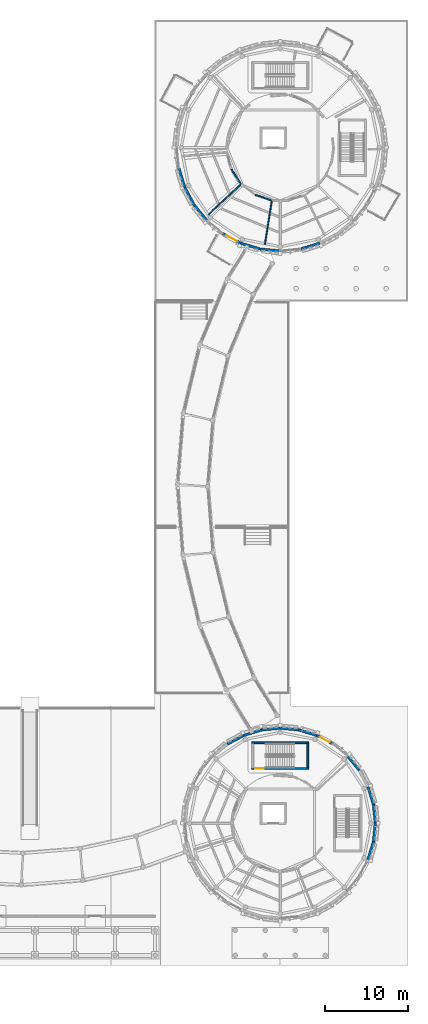
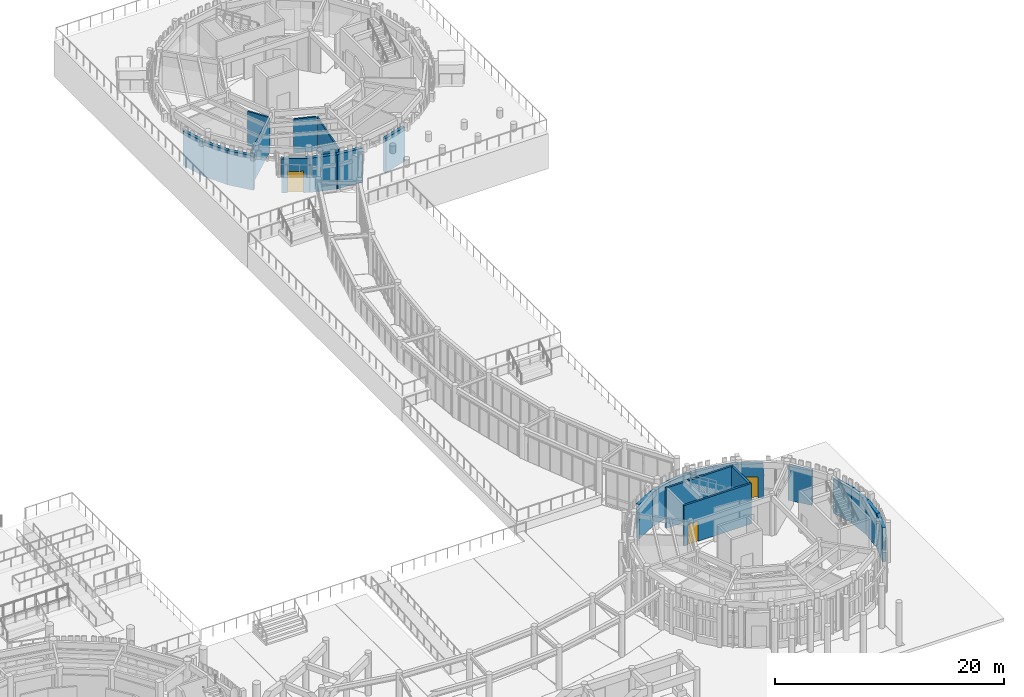
# One storey, part 54 of 94: 25 walls, 3 doors, 3 openings.
"""IFC4 building model written with IfcOpenShell, lengths in metres."""

from ifc_helpers import new_model, si_unit, direction, frame, frame_2d, origin, place, context, subcontext, project, spatial, rectangle, extrude, material, layer, layer_set, type_object, element, fill, save


model = new_model("IFC4")

# Units and contexts
model_context = context("Model", 3, precision=1e-05, world=origin(), true_north=direction((0.0, 1.0)))
body_context = subcontext(model_context, "Body", "Model", "MODEL_VIEW")
ifc_project = project(units=[si_unit("LENGTHUNIT", "METRE"), si_unit("AREAUNIT", "SQUARE_METRE"), si_unit("VOLUMEUNIT", "CUBIC_METRE"), si_unit("PLANEANGLEUNIT", "RADIAN"), si_unit("MASSUNIT", "GRAM", prefix="KILO")], contexts=[model_context])

# Site, building, storey
site_placement = place(None, origin())
site = spatial("IfcSite", under=ifc_project, at=site_placement, CompositionType="ELEMENT")
building_placement = place(site_placement, origin())
building = spatial("IfcBuilding", under=site, at=building_placement, Name="Aldenvaro Health Centre", CompositionType="ELEMENT")
storey_placement = place(building_placement, origin())
storey = spatial("IfcBuildingStorey", under=building, at=storey_placement, Name="L00", CompositionType="ELEMENT", Elevation=0.0)

# Walls
ifc_material_1 = material(Name="Gypsum Stud Acoustic Assembly")
ifc_layer_1 = layer(ifc_material_1, 0.14501953125, Name="Gypsum Stud Acoustic Assembly")
ifc_layer_set_1 = layer_set([ifc_layer_1], Name="Gypsum Stud Acoustic Assembly")
wall_type_1 = type_object("IfcWallType", Name="WL-CLN-145", PredefinedType="PARTITIONING", material=ifc_layer_set_1)
wall_1_placement = place(storey_placement, frame((149.759033203125, 95.0791015625, 0.0), z_axis=(0.0, 0.0, 1.0), x_axis=(-0.731374820342, -0.681975712302, 0.0)))
element("IfcWall", 1, at=wall_1_placement, inside=storey, type_object=wall_type_1, Name="D2 L00 clinical partition 5.1", PredefinedType="PARTITIONING", context=body_context, shape_type="SweptSolid", body=[
    extrude(rectangle(XDim=5.283203125, YDim=0.14501953125, at=frame_2d((2.6416015625, 0.0))), origin(), (0.0, 0.0, 1.0), 3.634033203125),
])
wall_2_placement = place(storey_placement, frame((153.486083984375, 93.096923828125, 0.0), z_axis=(0.0, 0.0, 1.0), x_axis=(-0.156475439167, -0.98768185006, 0.0)))
element("IfcWall", 2, at=wall_2_placement, inside=storey, type_object=wall_type_1, Name="D2 L00 clinical partition 6.1", PredefinedType="PARTITIONING", context=body_context, shape_type="SweptSolid", body=[
    extrude(rectangle(XDim=5.27978515625, YDim=0.14501953125, at=frame_2d((2.639892578125, 0.0))), origin(), (0.0, 0.0, 1.0), 3.634033203125),
])
ifc_layer_2 = layer(ifc_material_1, 0.1650390625, Name="Gypsum Stud Acoustic Assembly")
ifc_layer_set_2 = layer_set([ifc_layer_2], Name="Gypsum Stud Acoustic Assembly")
wall_type_2 = type_object("IfcWallType", Name="WL-COR-165", PredefinedType="PARTITIONING", material=ifc_layer_set_2)
for number, where, z_axis, x_axis, name in (
    (3, (148.653076171875, 96.89697265625, 0.0), (0.0, 0.0, 1.0), (0.545710691365, -0.83797365193, 0.0), "D2 L00 corridor wall 04.2"),
    (4, (151.4951171875, 93.84912109375, 0.0), (0.0, 0.0, 1.0), (0.94591520518, -0.324413971046, 0.0), "D2 L00 corridor wall 05.2"),
):
    element("IfcWall", number, at=place(storey_placement, frame(where, z_axis=z_axis, x_axis=x_axis)), inside=storey, type_object=wall_type_2, Name=name, PredefinedType="PARTITIONING", context=body_context, shape_type="SweptSolid", body=[
        extrude(rectangle(XDim=2.01904296875, YDim=0.1650390625, at=frame_2d((1.009521484375, 0.0))), origin(), (0.0, 0.0, 1.0), 3.634033203125),
    ])
ifc_material_2 = material(Name="Concrete f'c 35 MPa", Category="concrete")
ifc_layer_3 = layer(ifc_material_2, 0.31005859375, Name="Concrete f'c 35 MPa", Category="concrete")
ifc_layer_set_3 = layer_set([ifc_layer_3], Name="Concrete f'c 35 MPa")
wall_type_3 = type_object("IfcWallType", Name="WL-EXT-310", PredefinedType="SOLIDWALL", material=ifc_layer_set_3)
wall_3_placement = place(storey_placement, frame((159.2451171875, 88.0439453125, 0.0), z_axis=(0.0, 0.0, 1.0), x_axis=(-0.956892539407, -0.290442193951, 0.0)))
element("IfcWall", 5, at=wall_3_placement, inside=storey, type_object=wall_type_3, Name="D2 L00 exterior wall 07", PredefinedType="SOLIDWALL", context=body_context, shape_type="SweptSolid", body=[
    extrude(rectangle(XDim=2.430908203125, YDim=0.31005859375, at=frame_2d((1.21533203125, 0.0))), origin(), (0.0, 0.0, 1.0), 3.658935546875),
])
wall_4_placement = place(storey_placement, frame((154.5, 87.10009765625, 0.0), z_axis=(0.0, 0.0, 1.0), x_axis=(-0.995202863323, 0.097832820839, 0.0)))
element("IfcWall", 6, at=wall_4_placement, inside=storey, type_object=wall_type_3, Name="D2 L00 exterior wall 09", PredefinedType="SOLIDWALL", context=body_context, shape_type="SweptSolid", body=[
    extrude(rectangle(XDim=2.4306640625, YDim=0.31005859375, at=frame_2d((1.21533203125, 0.0))), origin(), (0.0, 0.0, 1.0), 3.658935546875),
])
wall_5_placement = place(storey_placement, frame((152.0810546875, 87.337890625, 0.0), z_axis=(0.0, 0.0, 1.0), x_axis=(-0.956892539407, 0.290442193951, 0.0)))
element("IfcWall", 7, at=wall_5_placement, inside=storey, type_object=wall_type_3, Name="D2 L00 exterior wall 10", PredefinedType="SOLIDWALL", context=body_context, shape_type="SweptSolid", body=[
    extrude(rectangle(XDim=2.430908203125, YDim=0.31005859375, at=frame_2d((1.21533203125, 0.0))), origin(), (0.0, 0.0, 1.0), 3.658935546875),
])

# Wall, opening, door
wall_6_placement = place(storey_placement, frame((149.7548828125, 88.0439453125, 0.0), z_axis=(0.0, 0.0, 1.0), x_axis=(-0.881902152415, 0.471432490996, 0.0)))
wall_6 = element("IfcWall", 8, at=wall_6_placement, inside=storey, type_object=wall_type_3, Name="D2 L00 exterior wall 11", PredefinedType="SOLIDWALL", context=body_context, shape_type="SweptSolid", body=[
    extrude(rectangle(XDim=2.430908203125, YDim=0.31005859375, at=frame_2d((1.21533203125, 0.0))), origin(), (0.0, 0.0, 1.0), 3.658935546875),
])
opening_1_placement = place(wall_6_placement, frame((0.51611328125, 0.0, 0.0)))
opening_1 = element("IfcOpeningElement", 9, at=opening_1_placement, cuts=wall_6, Name="Opening ED-05", PredefinedType="OPENING", context=body_context, shape_type="SweptSolid", body=[
    extrude(rectangle(XDim=1.39990234375, YDim=2.300048828125, at=frame_2d((0.699951171875, 1.14990234375))), frame((0.0, 0.1650390625, 0.0), z_axis=(0.0, -1.0, 0.0), x_axis=(1.0, 0.0, 0.0)), (0.0, 0.0, 1.0), 0.330078125),
])
ifc_material_3 = material(Name="Thermally Broken Glazed Aluminium", Category="aluminium")
door_type_1 = type_object("IfcDoorType", Name="DR-GDN-140", OperationType="NOTDEFINED", PredefinedType="DOOR", material=ifc_material_3)
door_1_placement = place(opening_1_placement, origin())
door_1 = element("IfcDoor", 10, at=door_1_placement, inside=storey, type_object=door_type_1, Name="Pedestrian Final Exit Door 09", OperationType="SINGLE_SWING_LEFT", OverallHeight=2.300048828125, OverallWidth=1.39990234375, PredefinedType="DOOR", context=body_context, shape_type="SweptSolid", body=[
    extrude(rectangle(XDim=1.39990234375, YDim=2.300048828125, at=frame_2d((0.699951171875, 1.14990234375))), frame((0.0, 0.02490234375, 0.0), z_axis=(0.0, -1.0, 0.0), x_axis=(1.0, 0.0, 0.0)), (0.0, 0.0, 1.0), 0.050048828125),
])
fill(opening_1, door_1)

# Walls
for number, where, z_axis, x_axis, name in (
    (11, (145.73193359375, 90.73193359375, 0.0), (0.0, 0.0, 1.0), (-0.634347392822, 0.773048113134, 0.0), "D2 L00 exterior wall 13"),
    (12, (144.18994140625, 92.611083984375, 0.0), (0.0, 0.0, 1.0), (-0.471432490996, 0.881902152415, 0.0), "D2 L00 exterior wall 14"),
    (13, (143.0439453125, 94.7548828125, 0.0), (0.0, 0.0, 1.0), (-0.290442193951, 0.956892539407, 0.0), "D2 L00 exterior wall 15"),
):
    element("IfcWall", number, at=place(storey_placement, frame(where, z_axis=z_axis, x_axis=x_axis)), inside=storey, type_object=wall_type_3, Name=name, PredefinedType="SOLIDWALL", context=body_context, shape_type="SweptSolid", body=[
        extrude(rectangle(XDim=2.430908203125, YDim=0.31005859375, at=frame_2d((1.21533203125, 0.0))), origin(), (0.0, 0.0, 1.0), 3.658935546875),
    ])
wall_7_placement = place(storey_placement, frame((165.89990234375, 18.5, 0.0), z_axis=(0.0, 0.0, 1.0), x_axis=(-0.097989369151, -0.995187461503, 0.0)))
element("IfcWall", 14, at=wall_7_placement, inside=storey, type_object=wall_type_3, Name="D6 L00 exterior wall 01", PredefinedType="SOLIDWALL", context=body_context, shape_type="SweptSolid", body=[
    extrude(rectangle(XDim=2.23486328125, YDim=0.31005859375, at=frame_2d((1.117431640625, 0.0))), origin(), (0.0, 0.0, 1.0), 3.658935546875),
])
wall_8_placement = place(storey_placement, frame((165.680908203125, 16.27587890625, 0.0), z_axis=(0.0, 0.0, 1.0), x_axis=(-0.290322655883, -0.956928814218, 0.0)))
element("IfcWall", 15, at=wall_8_placement, inside=storey, type_object=wall_type_3, Name="D6 L00 exterior wall 02", PredefinedType="SOLIDWALL", context=body_context, shape_type="SweptSolid", body=[
    extrude(rectangle(XDim=2.235107421875, YDim=0.31005859375, at=frame_2d((1.11767578125, 0.0))), origin(), (0.0, 0.0, 1.0), 3.658935546875),
])
wall_9_placement = place(storey_placement, frame((148.166015625, 27.97900390625, 0.0), z_axis=(0.0, 0.0, 1.0), x_axis=(0.882017012185, 0.471217561446, 0.0)))
element("IfcWall", 16, at=wall_9_placement, inside=storey, type_object=wall_type_3, Name="D6 L00 exterior wall 22", PredefinedType="SOLIDWALL", context=body_context, shape_type="SweptSolid", body=[
    extrude(rectangle(XDim=2.234619140625, YDim=0.31005859375, at=frame_2d((1.1171875, 0.0))), origin(), (0.0, 0.0, 1.0), 3.658935546875),
])
wall_10_placement = place(storey_placement, frame((150.136962890625, 29.031982421875, 0.0), z_axis=(0.0, 0.0, 1.0), x_axis=(0.956928814218, 0.290322655883, 0.0)))
element("IfcWall", 17, at=wall_10_placement, inside=storey, type_object=wall_type_3, Name="D6 L00 exterior wall 23", PredefinedType="SOLIDWALL", context=body_context, shape_type="SweptSolid", body=[
    extrude(rectangle(XDim=2.235107421875, YDim=0.31005859375, at=frame_2d((1.11767578125, 0.0))), origin(), (0.0, 0.0, 1.0), 3.658935546875),
])
for number, where, z_axis, x_axis, name in (
    (18, (152.27587890625, 29.680908203125, 0.0), (0.0, 0.0, 1.0), (0.995187461503, 0.097989369151, 0.0), "D6 L00 exterior wall 24"),
    (19, (154.5, 29.89990234375, 0.0), (0.0, 0.0, 1.0), (0.995187461503, -0.097989369151, 0.0), "D6 L00 exterior wall 25"),
):
    element("IfcWall", number, at=place(storey_placement, frame(where, z_axis=z_axis, x_axis=x_axis)), inside=storey, type_object=wall_type_3, Name=name, PredefinedType="SOLIDWALL", context=body_context, shape_type="SweptSolid", body=[
        extrude(rectangle(XDim=2.23486328125, YDim=0.31005859375, at=frame_2d((1.117431640625, 0.0))), origin(), (0.0, 0.0, 1.0), 3.658935546875),
    ])
wall_11_placement = place(storey_placement, frame((156.72412109375, 29.680908203125, 0.0), z_axis=(0.0, 0.0, 1.0), x_axis=(0.956928814218, -0.290322655883, 0.0)))
element("IfcWall", 20, at=wall_11_placement, inside=storey, type_object=wall_type_3, Name="D6 L00 exterior wall 26", PredefinedType="SOLIDWALL", context=body_context, shape_type="SweptSolid", body=[
    extrude(rectangle(XDim=2.235107421875, YDim=0.31005859375, at=frame_2d((1.11767578125, 0.0))), origin(), (0.0, 0.0, 1.0), 3.658935546875),
])

# Wall, opening, door
wall_12_placement = place(storey_placement, frame((158.863037109375, 29.031982421875, 0.0), z_axis=(0.0, 0.0, 1.0), x_axis=(0.882017012185, -0.471217561446, 0.0)))
wall_12 = element("IfcWall", 21, at=wall_12_placement, inside=storey, type_object=wall_type_3, Name="D6 L00 exterior wall 27", PredefinedType="SOLIDWALL", context=body_context, shape_type="SweptSolid", body=[
    extrude(rectangle(XDim=2.234619140625, YDim=0.31005859375, at=frame_2d((1.1171875, 0.0))), origin(), (0.0, 0.0, 1.0), 3.658935546875),
])
opening_2_placement = place(wall_12_placement, frame((0.467041015625, 0.0, 0.0)))
opening_2 = element("IfcOpeningElement", 22, at=opening_2_placement, cuts=wall_12, Name="Opening ED-06", PredefinedType="OPENING", context=body_context, shape_type="SweptSolid", body=[
    extrude(rectangle(XDim=1.300048828125, YDim=2.25, at=frame_2d((0.64990234375, 1.125))), frame((0.0, 0.1650390625, 0.0), z_axis=(0.0, -1.0, 0.0), x_axis=(1.0, 0.0, 0.0)), (0.0, 0.0, 1.0), 0.330078125),
])
door_type_2 = type_object("IfcDoorType", Name="DR-GDN-130", OperationType="NOTDEFINED", PredefinedType="DOOR", material=ifc_material_3)
door_2_placement = place(opening_2_placement, origin())
door_2 = element("IfcDoor", 23, at=door_2_placement, inside=storey, type_object=door_type_2, Name="Pedestrian Final Exit Door 22", OperationType="SINGLE_SWING_RIGHT", OverallHeight=2.25, OverallWidth=1.300048828125, PredefinedType="DOOR", context=body_context, shape_type="SweptSolid", body=[
    extrude(rectangle(XDim=1.300048828125, YDim=2.25, at=frame_2d((0.64990234375, 1.125))), frame((0.0, 0.02490234375, 0.0), z_axis=(0.0, -1.0, 0.0), x_axis=(1.0, 0.0, 0.0)), (0.0, 0.0, 1.0), 0.050048828125),
])
fill(opening_2, door_2)

# Walls
wall_13_placement = place(storey_placement, frame((162.56103515625, 26.56103515625, 0.0), z_axis=(0.0, 0.0, 1.0), x_axis=(0.63455767339, -0.772875513354, 0.0)))
element("IfcWall", 24, at=wall_13_placement, inside=storey, type_object=wall_type_3, Name="D6 L00 exterior wall 29", PredefinedType="SOLIDWALL", context=body_context, shape_type="SweptSolid", body=[
    extrude(rectangle(XDim=2.234619140625, YDim=0.31005859375, at=frame_2d((1.1171875, 0.0))), origin(), (0.0, 0.0, 1.0), 3.658935546875),
])
wall_14_placement = place(storey_placement, frame((165.031982421875, 22.863037109375, 0.0), z_axis=(0.0, 0.0, 1.0), x_axis=(0.290322655883, -0.956928814218, 0.0)))
element("IfcWall", 25, at=wall_14_placement, inside=storey, type_object=wall_type_3, Name="D6 L00 exterior wall 31", PredefinedType="SOLIDWALL", context=body_context, shape_type="SweptSolid", body=[
    extrude(rectangle(XDim=2.235107421875, YDim=0.31005859375, at=frame_2d((1.11767578125, 0.0))), origin(), (0.0, 0.0, 1.0), 3.658935546875),
])
wall_15_placement = place(storey_placement, frame((165.680908203125, 20.72412109375, 0.0), z_axis=(0.0, 0.0, 1.0), x_axis=(0.097989369151, -0.995187461503, 0.0)))
element("IfcWall", 26, at=wall_15_placement, inside=storey, type_object=wall_type_3, Name="D6 L00 exterior wall 32", PredefinedType="SOLIDWALL", context=body_context, shape_type="SweptSolid", body=[
    extrude(rectangle(XDim=2.23486328125, YDim=0.31005859375, at=frame_2d((1.117431640625, 0.0))), origin(), (0.0, 0.0, 1.0), 3.658935546875),
])

# Wall, opening, door
ifc_material_4 = material(Name="Concrete f'c 40 MPa", Category="concrete")
ifc_layer_4 = layer(ifc_material_4, 0.199951171875, Name="Concrete f'c 40 MPa", Category="concrete")
ifc_layer_set_4 = layer_set([ifc_layer_4], Name="Concrete f'c 40 MPa")
wall_type_4 = type_object("IfcWallType", Name="WL-SHAFT-200", PredefinedType="SHEAR", material=ifc_layer_set_4)
wall_16_placement = place(storey_placement, frame((151.10009765625, 25.050048828125, 0.0), z_axis=(0.0, 0.0, 1.0), x_axis=(1.0, 0.0, 0.0)))
wall_16 = element("IfcWall", 27, at=wall_16_placement, inside=storey, type_object=wall_type_4, Name="ST-12 L00 inner core wall", PredefinedType="SHEAR", context=body_context, shape_type="SweptSolid", body=[
    extrude(rectangle(XDim=6.7998046875, YDim=0.199951171875, at=frame_2d((3.39990234375, 0.0))), origin(), (0.0, 0.0, 1.0), 4.304931640625),
])
opening_3_placement = place(wall_16_placement, frame((0.3798828125, 0.0, 0.0)))
opening_3 = element("IfcOpeningElement", 28, at=opening_3_placement, cuts=wall_16, Name="Opening FD-02", PredefinedType="OPENING", context=body_context, shape_type="SweptSolid", body=[
    extrude(rectangle(XDim=1.050048828125, YDim=2.14990234375, at=frame_2d((0.52490234375, 1.074951171875))), frame((0.0, 0.10986328125, 0.0), z_axis=(0.0, -1.0, 0.0), x_axis=(1.0, 0.0, 0.0)), (0.0, 0.0, 1.0), 0.219970703125),
])
ifc_material_5 = material(Name="Fire-Rated Steel Door Assembly", Category="steel")
door_type_3 = type_object("IfcDoorType", Name="DR-STAIR-105", OperationType="NOTDEFINED", PredefinedType="DOOR", material=ifc_material_5)
door_3_placement = place(opening_3_placement, origin())
door_3 = element("IfcDoor", 29, at=door_3_placement, inside=storey, type_object=door_type_3, Name="ST-12 L00 fire stair door", OperationType="SINGLE_SWING_RIGHT", OverallHeight=2.14990234375, OverallWidth=1.050048828125, PredefinedType="DOOR", context=body_context, shape_type="SweptSolid", body=[
    extrude(rectangle(XDim=1.050048828125, YDim=2.14990234375, at=frame_2d((0.52490234375, 1.074951171875))), frame((0.0, 0.02490234375, 0.0), z_axis=(0.0, -1.0, 0.0), x_axis=(1.0, 0.0, 0.0)), (0.0, 0.0, 1.0), 0.050048828125),
])
fill(opening_3, door_3)

# Walls
wall_17_placement = place(storey_placement, frame((151.10009765625, 28.14990234375, 0.0), z_axis=(0.0, 0.0, 1.0), x_axis=(1.0, 0.0, 0.0)))
element("IfcWall", 30, at=wall_17_placement, inside=storey, type_object=wall_type_4, Name="ST-12 L00 far core wall", PredefinedType="SHEAR", context=body_context, shape_type="SweptSolid", body=[
    extrude(rectangle(XDim=6.7998046875, YDim=0.199951171875, at=frame_2d((3.39990234375, 0.0))), origin(), (0.0, 0.0, 1.0), 4.304931640625),
])
wall_18_placement = place(storey_placement, frame((157.800048828125, 25.14990234375, 0.0), z_axis=(0.0, 0.0, 1.0), x_axis=(0.0, 1.0, 0.0)))
element("IfcWall", 31, at=wall_18_placement, inside=storey, type_object=wall_type_4, Name="ST-12 L00 side core wall R", PredefinedType="SHEAR", context=body_context, shape_type="SweptSolid", body=[
    extrude(rectangle(XDim=2.900146484375, YDim=0.199951171875, at=frame_2d((1.4501953125, 0.0))), origin(), (0.0, 0.0, 1.0), 4.304931640625),
])

save(model, "model.ifc")
